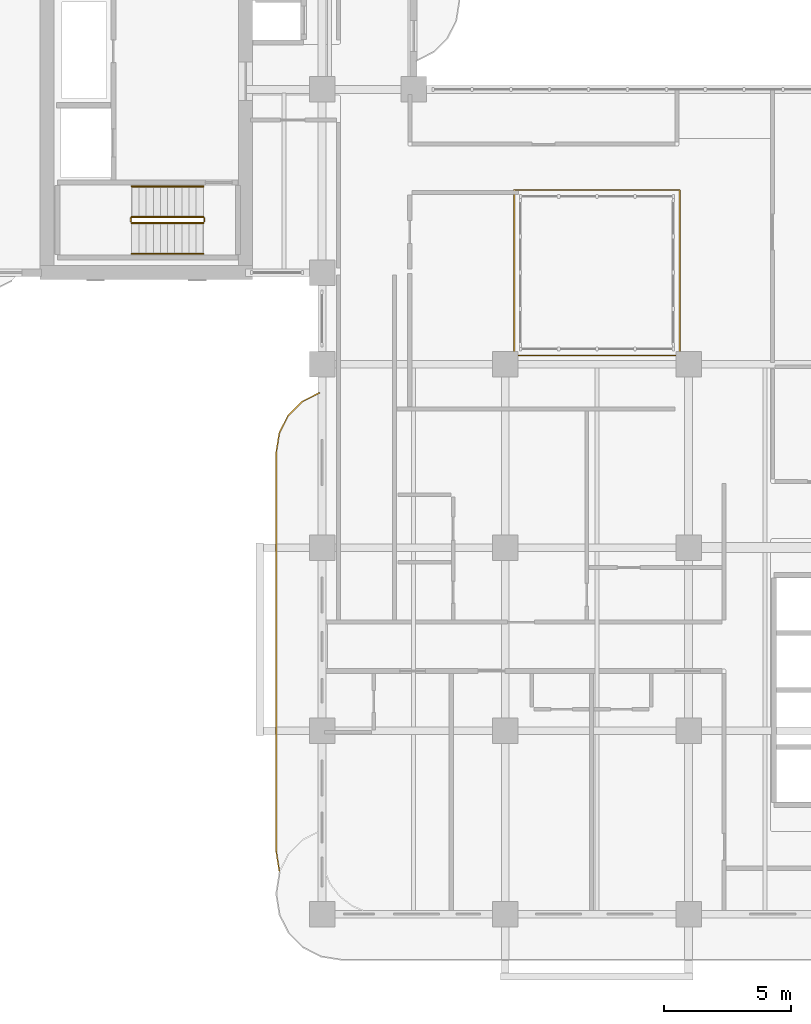
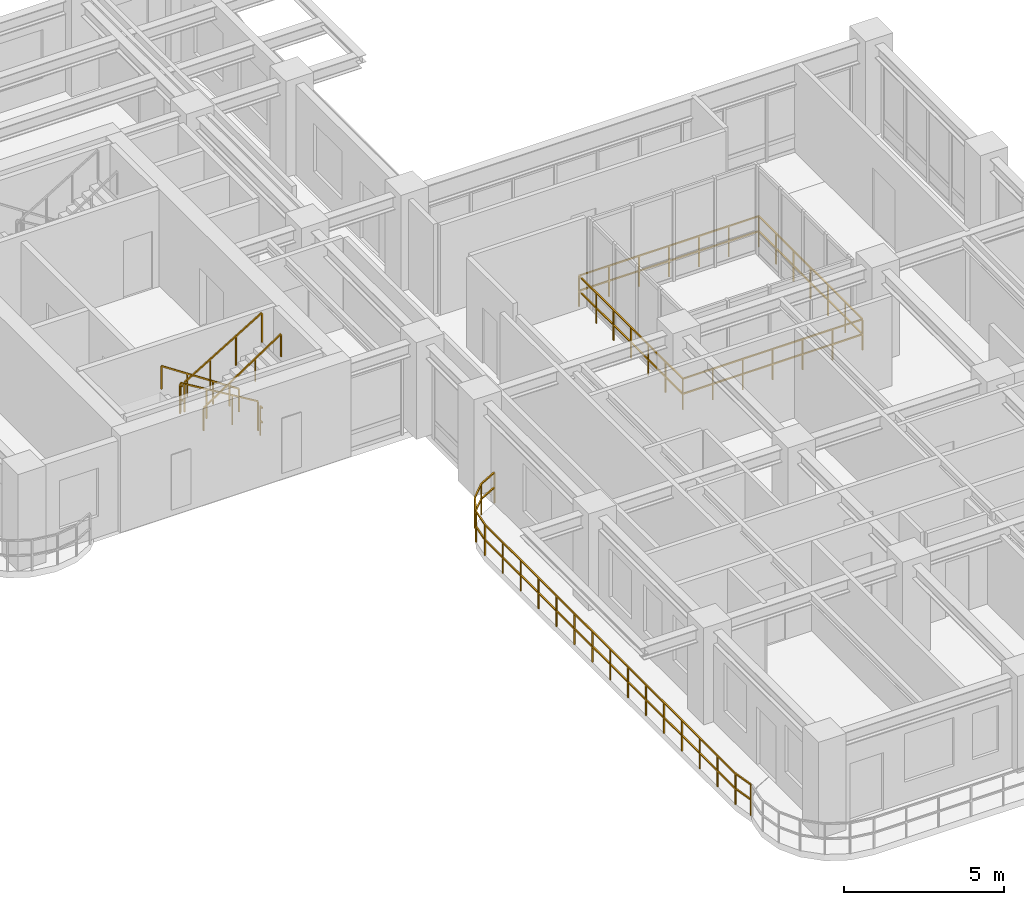
# One storey, part 16 of 19: 8 railings.
"""IFC4 building model written with IfcOpenShell, lengths in metres."""

from ifc_helpers import new_model, si_unit, derived_unit, direction, frame, origin, origin_2d, place, context, subcontext, project, spatial, rectangle, extrude, material, type_object, element, save


model = new_model("IFC4")

# Units and contexts
model_context = context("Model", 3, precision=1e-05, world=origin(), true_north=direction((0.0, 1.0)))
body_context = subcontext(model_context, "Body", "Model", "MODEL_VIEW")
ifc_project = project(units=[si_unit("LENGTHUNIT", "METRE"), si_unit("AREAUNIT", "SQUARE_METRE"), si_unit("VOLUMEUNIT", "CUBIC_METRE"), si_unit("PLANEANGLEUNIT", "RADIAN"), si_unit("MASSUNIT", "GRAM", prefix="KILO"), si_unit("THERMODYNAMICTEMPERATUREUNIT", "KELVIN"), si_unit("POWERUNIT", "WATT"), derived_unit("THERMALTRANSMITTANCEUNIT", [(si_unit("POWERUNIT", "WATT"), 1), (si_unit("AREAUNIT", "SQUARE_METRE"), -1), (si_unit("THERMODYNAMICTEMPERATUREUNIT", "KELVIN"), -1)])], contexts=[model_context])

# Site, building, storey
site_placement = place(None, origin())
site = spatial("IfcSite", under=ifc_project, at=site_placement, CompositionType="ELEMENT")
building_placement = place(site_placement, origin())
building = spatial("IfcBuilding", under=site, at=building_placement, Name="Zahravan Archway Hotel and Residences", CompositionType="ELEMENT")
storey_placement = place(building_placement, frame((0.0, 0.0, 134.0)))
storey = spatial("IfcBuildingStorey", under=building, at=storey_placement, Name="L33", CompositionType="ELEMENT", Elevation=134.0)

# Railings
ifc_material_1 = material(Name="Atrium Laminated Glass Guardrail", Category="glass")
railing_type_1 = type_object("IfcRailingType", Name="RL-ATR-1200", PredefinedType="BALUSTRADE", material=ifc_material_1)
railing_1_placement = place(storey_placement, frame((21.949951171875, 21.949951171875, 0.0)))
element("IfcRailing", 1, at=railing_1_placement, inside=storey, type_object=railing_type_1, Name="L33 Balustrade RL-ATR-L33", PredefinedType="BALUSTRADE", context=body_context, shape_type="SweptSolid", body=[
    extrude(rectangle(XDim=0.048095703125, YDim=0.048095703125, at=origin_2d()), frame((0.0, 0.0, 1.17578125), z_axis=(1.0, 0.0, 0.0), x_axis=(0.0, 1.0, 0.0)), (0.0, 0.0, 1.0), 6.5),
    extrude(rectangle(XDim=0.048095703125, YDim=0.048095703125, at=origin_2d()), frame((0.0, 0.0, 0.60009765625), z_axis=(1.0, 0.0, 0.0), x_axis=(0.0, 1.0, 0.0)), (0.0, 0.0, 1.0), 6.5),
    extrude(rectangle(XDim=0.048095703125, YDim=0.048095703125, at=origin_2d()), frame((6.5, 0.0, 1.17578125), z_axis=(0.0, 1.0, 0.0), x_axis=(-1.0, 0.0, 0.0)), (0.0, 0.0, 1.0), 6.5),
    extrude(rectangle(XDim=0.048095703125, YDim=0.048095703125, at=origin_2d()), frame((6.5, 0.0, 0.60009765625), z_axis=(0.0, 1.0, 0.0), x_axis=(-1.0, 0.0, 0.0)), (0.0, 0.0, 1.0), 6.5),
    extrude(rectangle(XDim=0.048095703125, YDim=0.048095703125, at=origin_2d()), frame((6.5, 6.5, 1.17578125), z_axis=(-1.0, 0.0, 0.0), x_axis=(0.0, -1.0, 0.0)), (0.0, 0.0, 1.0), 6.5),
    extrude(rectangle(XDim=0.048095703125, YDim=0.048095703125, at=origin_2d()), frame((6.5, 6.5, 0.60009765625), z_axis=(-1.0, 0.0, 0.0), x_axis=(0.0, -1.0, 0.0)), (0.0, 0.0, 1.0), 6.5),
    extrude(rectangle(XDim=0.048095703125, YDim=0.048095703125, at=origin_2d()), frame((0.0, 6.5, 1.17578125), z_axis=(0.0, -1.0, 0.0), x_axis=(1.0, 0.0, 0.0)), (0.0, 0.0, 1.0), 6.5),
    extrude(rectangle(XDim=0.048095703125, YDim=0.048095703125, at=origin_2d()), frame((0.0, 6.5, 0.60009765625), z_axis=(0.0, -1.0, 0.0), x_axis=(1.0, 0.0, 0.0)), (0.0, 0.0, 1.0), 6.5),
    extrude(rectangle(XDim=0.0419921875, YDim=0.0419921875, at=origin_2d()), origin(), (0.0, 0.0, 1.0), 1.15185546875),
    extrude(rectangle(XDim=0.0419921875, YDim=0.0419921875, at=origin_2d()), frame((1.083251953125, 0.0, 0.0)), (0.0, 0.0, 1.0), 1.15185546875),
    extrude(rectangle(XDim=0.0419921875, YDim=0.0419921875, at=origin_2d()), frame((2.166748046875, 0.0, 0.0)), (0.0, 0.0, 1.0), 1.15185546875),
    extrude(rectangle(XDim=0.0419921875, YDim=0.0419921875, at=origin_2d()), frame((3.25, 0.0, 0.0)), (0.0, 0.0, 1.0), 1.15185546875),
    extrude(rectangle(XDim=0.0419921875, YDim=0.0419921875, at=origin_2d()), frame((4.333251953125, 0.0, 0.0)), (0.0, 0.0, 1.0), 1.15185546875),
    extrude(rectangle(XDim=0.0419921875, YDim=0.0419921875, at=origin_2d()), frame((5.416748046875, 0.0, 0.0)), (0.0, 0.0, 1.0), 1.15185546875),
    extrude(rectangle(XDim=0.0419921875, YDim=0.0419921875, at=origin_2d()), frame((6.5, 0.0, 0.0)), (0.0, 0.0, 1.0), 1.15185546875),
    extrude(rectangle(XDim=0.0419921875, YDim=0.0419921875, at=origin_2d()), frame((6.5, 1.083251953125, 0.0)), (0.0, 0.0, 1.0), 1.15185546875),
    extrude(rectangle(XDim=0.0419921875, YDim=0.0419921875, at=origin_2d()), frame((6.5, 2.166748046875, 0.0)), (0.0, 0.0, 1.0), 1.15185546875),
    extrude(rectangle(XDim=0.0419921875, YDim=0.0419921875, at=origin_2d()), frame((6.5, 3.25, 0.0)), (0.0, 0.0, 1.0), 1.15185546875),
    extrude(rectangle(XDim=0.0419921875, YDim=0.0419921875, at=origin_2d()), frame((6.5, 4.333251953125, 0.0)), (0.0, 0.0, 1.0), 1.15185546875),
    extrude(rectangle(XDim=0.0419921875, YDim=0.0419921875, at=origin_2d()), frame((6.5, 5.416748046875, 0.0)), (0.0, 0.0, 1.0), 1.15185546875),
    extrude(rectangle(XDim=0.0419921875, YDim=0.0419921875, at=origin_2d()), frame((6.5, 6.5, 0.0)), (0.0, 0.0, 1.0), 1.15185546875),
    extrude(rectangle(XDim=0.0419921875, YDim=0.0419921875, at=origin_2d()), frame((5.416748046875, 6.5, 0.0)), (0.0, 0.0, 1.0), 1.15185546875),
    extrude(rectangle(XDim=0.0419921875, YDim=0.0419921875, at=origin_2d()), frame((4.333251953125, 6.5, 0.0)), (0.0, 0.0, 1.0), 1.15185546875),
    extrude(rectangle(XDim=0.0419921875, YDim=0.0419921875, at=origin_2d()), frame((3.25, 6.5, 0.0)), (0.0, 0.0, 1.0), 1.15185546875),
    extrude(rectangle(XDim=0.0419921875, YDim=0.0419921875, at=origin_2d()), frame((2.166748046875, 6.5, 0.0)), (0.0, 0.0, 1.0), 1.15185546875),
    extrude(rectangle(XDim=0.0419921875, YDim=0.0419921875, at=origin_2d()), frame((1.083251953125, 6.5, 0.0)), (0.0, 0.0, 1.0), 1.15185546875),
    extrude(rectangle(XDim=0.0419921875, YDim=0.0419921875, at=origin_2d()), frame((0.0, 6.5, 0.0)), (0.0, 0.0, 1.0), 1.15185546875),
    extrude(rectangle(XDim=0.0419921875, YDim=0.0419921875, at=origin_2d()), frame((0.0, 5.416748046875, 0.0)), (0.0, 0.0, 1.0), 1.15185546875),
    extrude(rectangle(XDim=0.0419921875, YDim=0.0419921875, at=origin_2d()), frame((0.0, 4.333251953125, 0.0)), (0.0, 0.0, 1.0), 1.15185546875),
    extrude(rectangle(XDim=0.0419921875, YDim=0.0419921875, at=origin_2d()), frame((0.0, 3.25, 0.0)), (0.0, 0.0, 1.0), 1.15185546875),
    extrude(rectangle(XDim=0.0419921875, YDim=0.0419921875, at=origin_2d()), frame((0.0, 2.166748046875, 0.0)), (0.0, 0.0, 1.0), 1.15185546875),
    extrude(rectangle(XDim=0.0419921875, YDim=0.0419921875, at=origin_2d()), frame((0.0, 1.083251953125, 0.0)), (0.0, 0.0, 1.0), 1.15185546875),
])
ifc_material_2 = material(Name="Bronze & Laminated Glass Balustrade", Category="glass")
railing_type_2 = type_object("IfcRailingType", Name="RL-BAL-1200", PredefinedType="BALUSTRADE", material=ifc_material_2)
railing_2_placement = place(storey_placement, frame((12.719970703125, 1.69287109375, 0.0)))
element("IfcRailing", 2, at=railing_2_placement, inside=storey, type_object=railing_type_2, Name="L33 Balustrade RL-SLB-BAL-L33-WA-1", PredefinedType="BALUSTRADE", context=body_context, shape_type="SweptSolid", body=[
    extrude(rectangle(XDim=0.048095703125, YDim=0.048095703125, at=origin_2d()), frame((0.0, 0.0, 1.17578125), z_axis=(-0.156387811283, 0.987695728695, 0.0), x_axis=(-0.987695728695, -0.156387811283, 0.0)), (0.0, 0.0, 1.0), 0.7666015625),
    extrude(rectangle(XDim=0.048095703125, YDim=0.048095703125, at=origin_2d()), frame((0.0, 0.0, 0.60009765625), z_axis=(-0.156387811283, 0.987695728695, 0.0), x_axis=(-0.987695728695, -0.156387811283, 0.0)), (0.0, 0.0, 1.0), 0.7666015625),
    extrude(rectangle(XDim=0.048095703125, YDim=0.048095703125, at=origin_2d()), frame((-0.119873046875, 0.757080078125, 1.17578125), z_axis=(0.0, 1.0, 0.0), x_axis=(-1.0, 0.0, 0.0)), (0.0, 0.0, 1.0), 15.699951171875),
    extrude(rectangle(XDim=0.048095703125, YDim=0.048095703125, at=origin_2d()), frame((-0.119873046875, 0.757080078125, 0.60009765625), z_axis=(0.0, 1.0, 0.0), x_axis=(-1.0, 0.0, 0.0)), (0.0, 0.0, 1.0), 15.699951171875),
    extrude(rectangle(XDim=0.048095703125, YDim=0.048095703125, at=origin_2d()), frame((-0.119873046875, 16.45703125, 1.17578125), z_axis=(0.156387811283, 0.987695728695, 0.0), x_axis=(-0.987695728695, 0.156387811283, 0.0)), (0.0, 0.0, 1.0), 0.7666015625),
    extrude(rectangle(XDim=0.048095703125, YDim=0.048095703125, at=origin_2d()), frame((-0.119873046875, 16.45703125, 0.60009765625), z_axis=(0.156387811283, 0.987695728695, 0.0), x_axis=(-0.987695728695, 0.156387811283, 0.0)), (0.0, 0.0, 1.0), 0.7666015625),
    extrude(rectangle(XDim=0.048095703125, YDim=0.048095703125, at=origin_2d()), frame((0.0, 17.214111328125, 1.17578125), z_axis=(0.453825591531, 0.891090529897, 0.0), x_axis=(-0.891090529897, 0.453825591531, 0.0)), (0.0, 0.0, 1.0), 0.7666015625),
    extrude(rectangle(XDim=0.048095703125, YDim=0.048095703125, at=origin_2d()), frame((0.0, 17.214111328125, 0.60009765625), z_axis=(0.453825591531, 0.891090529897, 0.0), x_axis=(-0.891090529897, 0.453825591531, 0.0)), (0.0, 0.0, 1.0), 0.7666015625),
    extrude(rectangle(XDim=0.048095703125, YDim=0.048095703125, at=origin_2d()), frame((0.347900390625, 17.897216796875, 1.17578125), z_axis=(0.707106781187, 0.707106781187, 0.0), x_axis=(-0.707106781187, 0.707106781187, 0.0)), (0.0, 0.0, 1.0), 0.7666015625),
    extrude(rectangle(XDim=0.048095703125, YDim=0.048095703125, at=origin_2d()), frame((0.347900390625, 17.897216796875, 0.60009765625), z_axis=(0.707106781187, 0.707106781187, 0.0), x_axis=(-0.707106781187, 0.707106781187, 0.0)), (0.0, 0.0, 1.0), 0.7666015625),
    extrude(rectangle(XDim=0.048095703125, YDim=0.048095703125, at=origin_2d()), frame((0.889892578125, 18.439208984375, 1.17578125), z_axis=(0.891090529897, 0.453825591531, 0.0), x_axis=(-0.453825591531, 0.891090529897, 0.0)), (0.0, 0.0, 1.0), 0.7666015625),
    extrude(rectangle(XDim=0.048095703125, YDim=0.048095703125, at=origin_2d()), frame((0.889892578125, 18.439208984375, 0.60009765625), z_axis=(0.891090529897, 0.453825591531, 0.0), x_axis=(-0.453825591531, 0.891090529897, 0.0)), (0.0, 0.0, 1.0), 0.7666015625),
    extrude(rectangle(XDim=0.0419921875, YDim=0.0419921875, at=origin_2d()), origin(), (0.0, 0.0, 1.0), 1.15185546875),
    extrude(rectangle(XDim=0.0419921875, YDim=0.0419921875, at=origin_2d()), frame((-0.119873046875, 0.757080078125, 0.0)), (0.0, 0.0, 1.0), 1.15185546875),
    extrude(rectangle(XDim=0.0419921875, YDim=0.0419921875, at=origin_2d()), frame((-0.119873046875, 1.87841796875, 0.0)), (0.0, 0.0, 1.0), 1.15185546875),
    extrude(rectangle(XDim=0.0419921875, YDim=0.0419921875, at=origin_2d()), frame((-0.119873046875, 3.0, 0.0)), (0.0, 0.0, 1.0), 1.15185546875),
    extrude(rectangle(XDim=0.0419921875, YDim=0.0419921875, at=origin_2d()), frame((-0.119873046875, 4.121337890625, 0.0)), (0.0, 0.0, 1.0), 1.15185546875),
    extrude(rectangle(XDim=0.0419921875, YDim=0.0419921875, at=origin_2d()), frame((-0.119873046875, 5.24267578125, 0.0)), (0.0, 0.0, 1.0), 1.15185546875),
    extrude(rectangle(XDim=0.0419921875, YDim=0.0419921875, at=origin_2d()), frame((-0.119873046875, 6.3642578125, 0.0)), (0.0, 0.0, 1.0), 1.15185546875),
    extrude(rectangle(XDim=0.0419921875, YDim=0.0419921875, at=origin_2d()), frame((-0.119873046875, 7.485595703125, 0.0)), (0.0, 0.0, 1.0), 1.15185546875),
    extrude(rectangle(XDim=0.0419921875, YDim=0.0419921875, at=origin_2d()), frame((-0.119873046875, 8.60693359375, 0.0)), (0.0, 0.0, 1.0), 1.15185546875),
    extrude(rectangle(XDim=0.0419921875, YDim=0.0419921875, at=origin_2d()), frame((-0.119873046875, 9.728515625, 0.0)), (0.0, 0.0, 1.0), 1.15185546875),
    extrude(rectangle(XDim=0.0419921875, YDim=0.0419921875, at=origin_2d()), frame((-0.119873046875, 10.849853515625, 0.0)), (0.0, 0.0, 1.0), 1.15185546875),
    extrude(rectangle(XDim=0.0419921875, YDim=0.0419921875, at=origin_2d()), frame((-0.119873046875, 11.971435546875, 0.0)), (0.0, 0.0, 1.0), 1.15185546875),
    extrude(rectangle(XDim=0.0419921875, YDim=0.0419921875, at=origin_2d()), frame((-0.119873046875, 13.0927734375, 0.0)), (0.0, 0.0, 1.0), 1.15185546875),
    extrude(rectangle(XDim=0.0419921875, YDim=0.0419921875, at=origin_2d()), frame((-0.119873046875, 14.214111328125, 0.0)), (0.0, 0.0, 1.0), 1.15185546875),
    extrude(rectangle(XDim=0.0419921875, YDim=0.0419921875, at=origin_2d()), frame((-0.119873046875, 15.335693359375, 0.0)), (0.0, 0.0, 1.0), 1.15185546875),
    extrude(rectangle(XDim=0.0419921875, YDim=0.0419921875, at=origin_2d()), frame((-0.119873046875, 16.45703125, 0.0)), (0.0, 0.0, 1.0), 1.15185546875),
    extrude(rectangle(XDim=0.0419921875, YDim=0.0419921875, at=origin_2d()), frame((0.0, 17.214111328125, 0.0)), (0.0, 0.0, 1.0), 1.15185546875),
    extrude(rectangle(XDim=0.0419921875, YDim=0.0419921875, at=origin_2d()), frame((0.347900390625, 17.897216796875, 0.0)), (0.0, 0.0, 1.0), 1.15185546875),
    extrude(rectangle(XDim=0.0419921875, YDim=0.0419921875, at=origin_2d()), frame((0.889892578125, 18.439208984375, 0.0)), (0.0, 0.0, 1.0), 1.15185546875),
    extrude(rectangle(XDim=0.0419921875, YDim=0.0419921875, at=origin_2d()), frame((1.572998046875, 18.787109375, 0.0)), (0.0, 0.0, 1.0), 1.15185546875),
])
ifc_material_3 = material(Name="Painted Tubular Steel", Category="steel")
railing_type_3 = type_object("IfcRailingType", Name="RL-STG-1150", PredefinedType="GUARDRAIL", material=ifc_material_3)
railing_3_placement = place(storey_placement, frame((9.72998046875, 27.389892578125, 0.168212890625)))
element("IfcRailing", 3, at=railing_3_placement, inside=storey, type_object=railing_type_3, Name="L33 ST-B1 stair guard 1", PredefinedType="GUARDRAIL", context=body_context, shape_type="SweptSolid", body=[
    extrude(rectangle(XDim=0.048095703125, YDim=0.048095703125, at=origin_2d()), frame((0.0, 0.0, 1.1259765625), z_axis=(-0.857242210791, 0.0, 0.514913383045), x_axis=(0.0, -1.0, 0.0)), (0.0, 0.0, 1.0), 3.266357421875),
    extrude(rectangle(XDim=0.0419921875, YDim=0.0419921875, at=origin_2d()), origin(), (0.0, 0.0, 1.0), 1.101806640625),
    extrude(rectangle(XDim=0.0419921875, YDim=0.0419921875, at=origin_2d()), frame((-0.933349609375, 0.0, 0.560546875)), (0.0, 0.0, 1.0), 1.101806640625),
    extrude(rectangle(XDim=0.0419921875, YDim=0.0419921875, at=origin_2d()), frame((-1.86669921875, 0.0, 1.121337890625)), (0.0, 0.0, 1.0), 1.101806640625),
    extrude(rectangle(XDim=0.0419921875, YDim=0.0419921875, at=origin_2d()), frame((-2.800048828125, 0.0, 1.681884765625)), (0.0, 0.0, 1.0), 1.101806640625),
])
railing_4_placement = place(storey_placement, frame((6.8798828125, 27.340087890625, 1.85009765625)))
element("IfcRailing", 4, at=railing_4_placement, inside=storey, type_object=railing_type_3, Name="L33 ST-B1 stair guard 2", PredefinedType="GUARDRAIL", context=body_context, shape_type="SweptSolid", body=[
    extrude(rectangle(XDim=0.048095703125, YDim=0.048095703125, at=origin_2d()), frame((0.0, 0.0, 1.1259765625), z_axis=(0.0, -1.0, 0.0), x_axis=(1.0, 0.0, 0.0)), (0.0, 0.0, 1.0), 0.14013671875),
    extrude(rectangle(XDim=0.048095703125, YDim=0.048095703125, at=origin_2d()), frame((0.0, 0.0, 0.574951171875), z_axis=(0.0, -1.0, 0.0), x_axis=(1.0, 0.0, 0.0)), (0.0, 0.0, 1.0), 0.14013671875),
    extrude(rectangle(XDim=0.0419921875, YDim=0.0419921875, at=origin_2d()), origin(), (0.0, 0.0, 1.0), 1.101806640625),
])
railing_5_placement = place(storey_placement, frame((6.929931640625, 27.14990234375, 2.01806640625)))
element("IfcRailing", 5, at=railing_5_placement, inside=storey, type_object=railing_type_3, Name="L33 ST-B1 stair guard 3", PredefinedType="GUARDRAIL", context=body_context, shape_type="SweptSolid", body=[
    extrude(rectangle(XDim=0.048095703125, YDim=0.048095703125, at=origin_2d()), frame((0.0, 0.0, 1.1259765625), z_axis=(0.857242210791, 0.0, 0.514913383045), x_axis=(0.0, 1.0, 0.0)), (0.0, 0.0, 1.0), 3.266357421875),
    extrude(rectangle(XDim=0.0419921875, YDim=0.0419921875, at=origin_2d()), origin(), (0.0, 0.0, 1.0), 1.101806640625),
    extrude(rectangle(XDim=0.0419921875, YDim=0.0419921875, at=origin_2d()), frame((0.933349609375, 0.0, 0.560546875)), (0.0, 0.0, 1.0), 1.101806640625),
    extrude(rectangle(XDim=0.0419921875, YDim=0.0419921875, at=origin_2d()), frame((1.86669921875, 0.0, 1.121337890625)), (0.0, 0.0, 1.0), 1.101806640625),
    extrude(rectangle(XDim=0.0419921875, YDim=0.0419921875, at=origin_2d()), frame((2.800048828125, 0.0, 1.681884765625)), (0.0, 0.0, 1.0), 1.101806640625),
])
railing_6_placement = place(storey_placement, frame((9.780029296875, 27.340087890625, 0.0)))
element("IfcRailing", 6, at=railing_6_placement, inside=storey, type_object=railing_type_3, Name="L33 ST-B1 stair guard 4", PredefinedType="GUARDRAIL", context=body_context, shape_type="SweptSolid", body=[
    extrude(rectangle(XDim=0.048095703125, YDim=0.048095703125, at=origin_2d()), frame((0.0, 0.0, 1.1259765625), z_axis=(0.0, -1.0, 0.0), x_axis=(1.0, 0.0, 0.0)), (0.0, 0.0, 1.0), 0.14013671875),
    extrude(rectangle(XDim=0.048095703125, YDim=0.048095703125, at=origin_2d()), frame((0.0, 0.0, 0.574951171875), z_axis=(0.0, -1.0, 0.0), x_axis=(1.0, 0.0, 0.0)), (0.0, 0.0, 1.0), 0.14013671875),
    extrude(rectangle(XDim=0.0419921875, YDim=0.0419921875, at=origin_2d()), origin(), (0.0, 0.0, 1.0), 1.101806640625),
])
ifc_material_4 = material(Name="Brushed Stainless Steel", Category="steel")
railing_type_4 = type_object("IfcRailingType", Name="RL-STH-900", PredefinedType="HANDRAIL", material=ifc_material_4)
railing_7_placement = place(storey_placement, frame((9.72998046875, 28.590087890625, 0.168212890625)))
element("IfcRailing", 7, at=railing_7_placement, inside=storey, type_object=railing_type_4, Name="L33 ST-B1 stair handrail 1", PredefinedType="HANDRAIL", context=body_context, shape_type="SweptSolid", body=[
    extrude(rectangle(XDim=0.048095703125, YDim=0.048095703125, at=origin_2d()), frame((0.0, 0.0, 0.8759765625), z_axis=(-0.83435981716, 0.0, 0.551220187865), x_axis=(0.0, -1.0, 0.0)), (0.0, 0.0, 1.0), 3.35595703125),
    extrude(rectangle(XDim=0.0419921875, YDim=0.0419921875, at=origin_2d()), origin(), (0.0, 0.0, 1.0), 0.851806640625),
    extrude(rectangle(XDim=0.0419921875, YDim=0.0419921875, at=origin_2d()), frame((-0.933349609375, 0.0, 0.61669921875)), (0.0, 0.0, 1.0), 0.851806640625),
    extrude(rectangle(XDim=0.0419921875, YDim=0.0419921875, at=origin_2d()), frame((-1.86669921875, 0.0, 1.233154296875)), (0.0, 0.0, 1.0), 0.851806640625),
    extrude(rectangle(XDim=0.0419921875, YDim=0.0419921875, at=origin_2d()), frame((-2.800048828125, 0.0, 1.849853515625)), (0.0, 0.0, 1.0), 0.851806640625),
])
railing_8_placement = place(storey_placement, frame((6.929931640625, 25.949951171875, 2.01806640625)))
element("IfcRailing", 8, at=railing_8_placement, inside=storey, type_object=railing_type_4, Name="L33 ST-B1 stair handrail 2", PredefinedType="HANDRAIL", context=body_context, shape_type="SweptSolid", body=[
    extrude(rectangle(XDim=0.048095703125, YDim=0.048095703125, at=origin_2d()), frame((0.0, 0.0, 0.8759765625), z_axis=(0.834326358476, 0.0, 0.551270829586), x_axis=(0.0, 1.0, 0.0)), (0.0, 0.0, 1.0), 3.35595703125),
    extrude(rectangle(XDim=0.0419921875, YDim=0.0419921875, at=origin_2d()), origin(), (0.0, 0.0, 1.0), 0.851806640625),
    extrude(rectangle(XDim=0.0419921875, YDim=0.0419921875, at=origin_2d()), frame((0.933349609375, 0.0, 0.61669921875)), (0.0, 0.0, 1.0), 0.851806640625),
    extrude(rectangle(XDim=0.0419921875, YDim=0.0419921875, at=origin_2d()), frame((1.86669921875, 0.0, 1.2333984375)), (0.0, 0.0, 1.0), 0.851806640625),
    extrude(rectangle(XDim=0.0419921875, YDim=0.0419921875, at=origin_2d()), frame((2.800048828125, 0.0, 1.85009765625)), (0.0, 0.0, 1.0), 0.851806640625),
])

save(model, "model.ifc")
